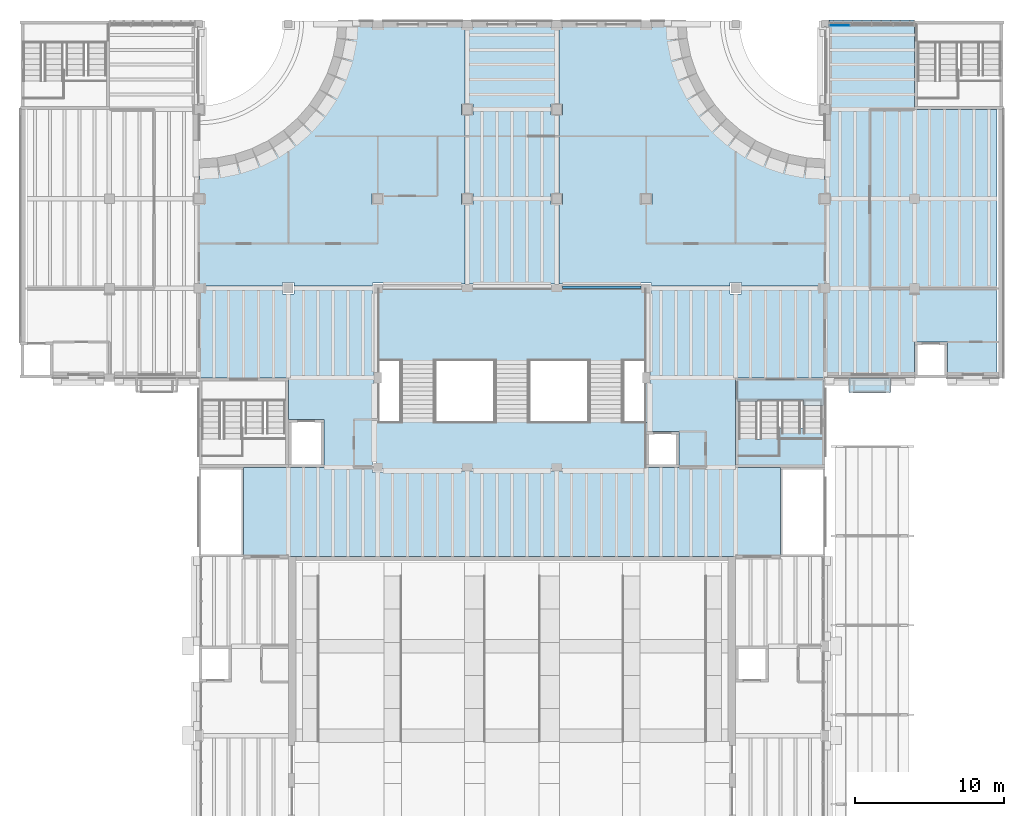
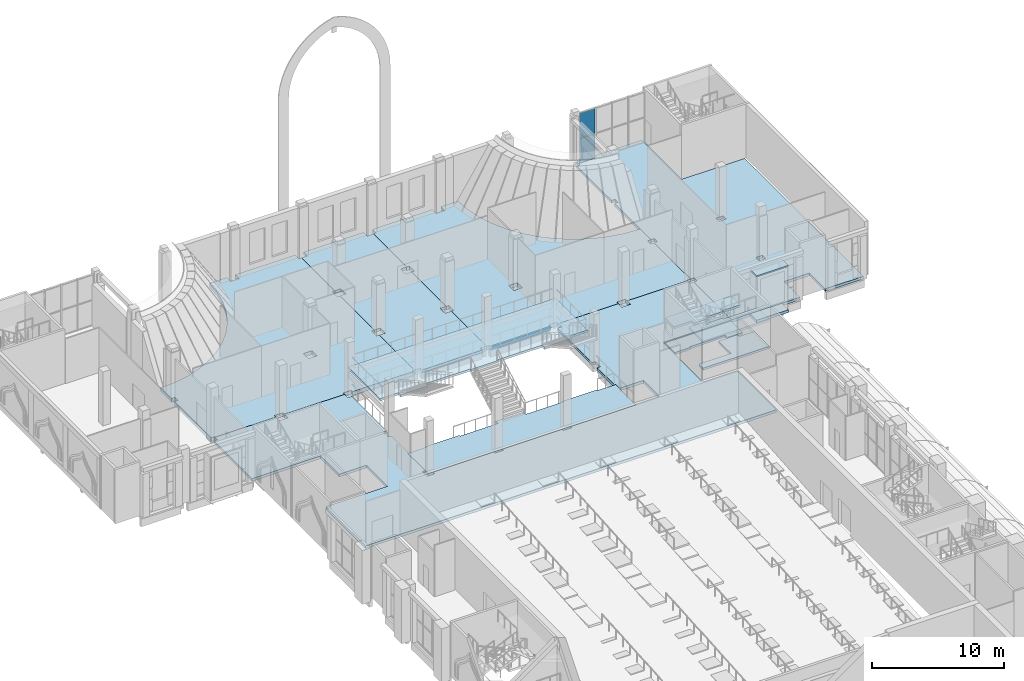
# One storey, part 35 of 80: 13 slabs, 3 plates, 3 elements without a shape of their own.
"""IFC4 building model written with IfcOpenShell, lengths in metres."""

from ifc_helpers import new_model, si_unit, direction, frame, origin, origin_2d, place, context, subcontext, project, spatial, polyline, rectangle, outline, extrude, material, layer, layer_set, type_object, element, aggregate, save


model = new_model("IFC4")

# Units and contexts
model_context = context("Model", 3, precision=1e-05, world=origin(), true_north=direction((0.0, 1.0)))
body_context = subcontext(model_context, "Body", "Model", "MODEL_VIEW")
ifc_project = project(units=[si_unit("LENGTHUNIT", "METRE"), si_unit("AREAUNIT", "SQUARE_METRE"), si_unit("VOLUMEUNIT", "CUBIC_METRE"), si_unit("PLANEANGLEUNIT", "RADIAN"), si_unit("MASSUNIT", "GRAM", prefix="KILO")], contexts=[model_context])

# Site, building, storey
site_placement = place(None, origin())
site = spatial("IfcSite", under=ifc_project, at=site_placement, CompositionType="ELEMENT")
building_placement = place(site_placement, origin())
building = spatial("IfcBuilding", under=site, at=building_placement, Name="Saffron Lane Theatres", CompositionType="ELEMENT")
storey_placement = place(building_placement, frame((0.0, 0.0, 7.0)))
storey = spatial("IfcBuildingStorey", under=building, at=storey_placement, Name="L01", CompositionType="ELEMENT", Elevation=7.0)

# Plate
ifc_material_1 = material(Name="Zinc sheet", Category="metal")
ifc_layer_1 = layer(ifc_material_1, 0.1201171875)
ifc_layer_set_1 = layer_set([ifc_layer_1], Name="Zinc sheet")
plate_type_1 = type_object("IfcPlateType", Name="EX-CUMBA ROOF PANEL 120", PredefinedType="SHEET", material=ifc_layer_set_1)
plate_1_placement = place(storey_placement, frame((0.0, 0.0, 4.0)))
element("IfcPlate", 1, at=plate_1_placement, inside=storey, type_object=plate_type_1, Name="Cumba bay 2 roof", PredefinedType="SHEET", context=body_context, shape_type="SweptSolid", body=[
    extrude(outline(polyline([(58.39990234375, 102.0), (55.60009765625, 102.0), (55.60009765625, 101.0), (58.39990234375, 101.0), (58.39990234375, 102.0)])), origin(), (0.0, 0.0, 1.0), 0.1201171875),
])

# Slab
ifc_material_2 = material(Name="Concrete N40 (40 MPa)", Category="concrete")
ifc_layer_2 = layer(ifc_material_2, 0.25)
ifc_layer_set_2 = layer_set([ifc_layer_2], Name="Concrete N40 (40 MPa)")
slab_type_1 = type_object("IfcSlabType", Name="EX-CUMBA SLAB 250", PredefinedType="FLOOR", material=ifc_layer_set_2)
slab_1_placement = place(storey_placement, frame((0.0, 0.0, -0.25)))
element("IfcSlab", 2, at=slab_1_placement, inside=storey, type_object=slab_type_1, Name="Cumba bay 2 floor", PredefinedType="FLOOR", context=body_context, shape_type="SweptSolid", body=[
    extrude(outline(polyline([(58.39990234375, 102.0), (55.60009765625, 102.0), (55.60009765625, 101.0), (58.39990234375, 101.0), (58.39990234375, 102.0)])), origin(), (0.0, 0.0, 1.0), 0.25),
])

# Curtain wall, plates
ifc_material_3 = material(Name="Aluminium", Category="aluminium")
curtain_wall_type = type_object("IfcCurtainWallType", Name="EX-CURTAIN WALL 5750x4750x160", PredefinedType="NOTDEFINED", material=ifc_material_3)
curtain_wall_placement = place(storey_placement, origin())
curtain_wall = element("IfcCurtainWall", 3, at=curtain_wall_placement, inside=storey, type_object=curtain_wall_type, Name="Curtain wall L01 09", PredefinedType="NOTDEFINED")
ifc_material_4 = material(Name="Glass", Category="glass")
ifc_layer_3 = layer(ifc_material_4, 0.028076171875)
ifc_layer_set_3 = layer_set([ifc_layer_3], Name="Glass")
plate_type_2 = type_object("IfcPlateType", Name="EX-CW PANEL GLAZING 28", PredefinedType="CURTAIN_PANEL", material=ifc_layer_set_3)
plate_2_placement = place(storey_placement, frame((54.983642578125, 125.6298828125, 0.06005859375), z_axis=(0.0, 0.0, 1.0), x_axis=(1.0, 0.0, 0.0)))
plate_2 = element("IfcPlate", 4, at=plate_2_placement, type_object=plate_type_2, Name="CW-01-09 panel 1.1", PredefinedType="CURTAIN_PANEL", context=body_context, shape_type="SweptSolid", body=[
    extrude(rectangle(XDim=1.347412109375, YDim=0.028076171875, at=origin_2d()), origin(), (0.0, 0.0, 1.0), 2.284912109375),
])
plate_3_placement = place(storey_placement, frame((54.983642578125, 125.6298828125, 2.4052734375), z_axis=(0.0, 0.0, 1.0), x_axis=(1.0, 0.0, 0.0)))
plate_3 = element("IfcPlate", 5, at=plate_3_placement, type_object=plate_type_2, Name="CW-01-09 panel 1.2", PredefinedType="CURTAIN_PANEL", context=body_context, shape_type="SweptSolid", body=[
    extrude(rectangle(XDim=1.347412109375, YDim=0.028076171875, at=origin_2d()), origin(), (0.0, 0.0, 1.0), 2.284912109375),
])
aggregate(curtain_wall, [plate_2, plate_3])

# Slabs
ifc_material_5 = material(Name="Concrete N40 (40 MPa)", Category="concrete")
ifc_layer_4 = layer(ifc_material_5, 0.25)
ifc_layer_set_4 = layer_set([ifc_layer_4], Name="Concrete N40 (40 MPa)")
slab_type_2 = type_object("IfcSlabType", Name="RC-SLAB FLOOR 250", PredefinedType="FLOOR", material=ifc_layer_set_4)
slab_2_placement = place(storey_placement, frame((0.0, 0.0, -0.25)))
element("IfcSlab", 6, at=slab_2_placement, inside=storey, type_object=slab_type_2, Name="slab-L01-BRICK-1", PredefinedType="FLOOR", context=body_context, shape_type="SweptSolid", body=[
    extrude(outline(polyline([(18.5, 90.0), (47.5, 90.0), (48.0, 90.0), (51.0, 90.0), (51.0, 96.0), (48.0, 96.0), (48.0, 102.0), (54.0, 102.0), (54.0, 107.77294921875), (53.697998046875, 107.77294921875), (53.697998046875, 108.14990234375), (48.376953125, 108.14990234375), (48.376953125, 107.623046875), (47.623046875, 107.623046875), (47.623046875, 108.14990234375), (42.35205078125, 108.14990234375), (42.35205078125, 107.64794921875), (42.0, 107.64794921875), (42.0, 102.376953125), (42.277099609375, 102.376953125), (42.277099609375, 101.623046875), (42.0, 101.623046875), (42.0, 98.39990234375), (44.199951171875, 98.39990234375), (44.199951171875, 96.0), (42.0, 96.0), (36.376953125, 96.0), (36.376953125, 95.722900390625), (35.623046875, 95.722900390625), (35.623046875, 96.0), (30.376953125, 96.0), (30.376953125, 95.722900390625), (29.623046875, 95.722900390625), (29.623046875, 96.0), (24.35205078125, 96.0), (24.35205078125, 95.64794921875), (23.64794921875, 95.64794921875), (23.64794921875, 96.35205078125), (24.0, 96.35205078125), (24.0, 101.623046875), (23.722900390625, 101.623046875), (23.722900390625, 102.376953125), (24.0, 102.376953125), (24.0, 107.64794921875), (23.64794921875, 107.64794921875), (23.64794921875, 108.14990234375), (18.376953125, 108.14990234375), (18.376953125, 107.623046875), (17.623046875, 107.623046875), (17.623046875, 108.14990234375), (12.302001953125, 108.14990234375), (12.302001953125, 107.77294921875), (12.0, 107.77294921875), (12.0, 102.0), (18.0, 102.0), (18.0, 99.199951171875), (20.39990234375, 99.199951171875), (20.39990234375, 96.0), (18.0, 96.0), (15.0, 96.0), (15.0, 90.0), (18.0, 90.0), (18.5, 90.0)])), origin(), (0.0, 0.0, 1.0), 0.25),
])
slab_3_placement = place(storey_placement, frame((0.0, 0.0, -0.25)))
element("IfcSlab", 7, at=slab_3_placement, inside=storey, type_object=slab_type_2, Name="slab-L01-BRICK-3", PredefinedType="FLOOR", context=body_context, shape_type="SweptSolid", body=[
    extrude(outline(polyline([(30.376953125, 125.99951171875), (30.376953125, 125.447509765625), (29.85009765625, 125.447509765625), (29.85009765625, 120.376953125), (30.376953125, 120.376953125), (30.376953125, 119.623046875), (29.85009765625, 119.623046875), (29.85009765625, 114.376953125), (30.376953125, 114.376953125), (30.376953125, 113.623046875), (29.85009765625, 113.623046875), (29.85009765625, 108.277099609375), (30.376953125, 108.277099609375), (30.376953125, 108.0), (35.623046875, 108.0), (35.623046875, 108.277099609375), (36.14990234375, 108.277099609375), (36.14990234375, 113.623046875), (35.623046875, 113.623046875), (35.623046875, 114.376953125), (36.14990234375, 114.376953125), (36.14990234375, 119.623046875), (35.623046875, 119.623046875), (35.623046875, 120.376953125), (36.14990234375, 120.376953125), (36.14990234375, 125.447509765625), (35.623046875, 125.447509765625), (35.623046875, 125.99951171875), (30.376953125, 125.99951171875)])), origin(), (0.0, 0.0, 1.0), 0.25),
])
slab_4_placement = place(storey_placement, frame((0.0, 0.0, -0.25)))
element("IfcSlab", 8, at=slab_4_placement, inside=storey, type_object=slab_type_2, Name="slab-L01-BRICK-4", PredefinedType="FLOOR", context=body_context, shape_type="SweptSolid", body=[
    extrude(outline(polyline([(36.376953125, 108.0), (41.64794921875, 108.0), (41.64794921875, 108.14990234375), (36.376953125, 108.14990234375), (36.376953125, 108.0)])), origin(), (0.0, 0.0, 1.0), 0.25),
])
slab_5_placement = place(storey_placement, frame((0.0, 0.0, -0.25)))
element("IfcSlab", 9, at=slab_5_placement, inside=storey, type_object=slab_type_2, Name="slab-L01-WING_E", PredefinedType="FLOOR", context=body_context, shape_type="SweptSolid", body=[
    extrude(outline(polyline([(60.0, 120.0), (60.0, 125.99951171875), (54.0, 125.99951171875), (54.0, 125.9765625), (54.302001953125, 125.9765625), (54.302001953125, 125.5224609375), (54.0, 125.5224609375), (54.0, 120.22705078125), (54.302001953125, 120.22705078125), (54.302001953125, 119.77294921875), (54.0, 119.77294921875), (54.0, 115.889892578125), (54.0, 114.22705078125), (54.302001953125, 114.22705078125), (54.302001953125, 113.77294921875), (54.0, 113.77294921875), (54.0, 108.22705078125), (54.302001953125, 108.22705078125), (54.302001953125, 107.77294921875), (54.0, 107.77294921875), (54.0, 102.0), (60.0, 102.0), (60.0, 104.39990234375), (62.199951171875, 104.39990234375), (62.199951171875, 102.0), (65.5400390625, 102.0), (65.5400390625, 120.0), (60.0, 120.0)]), holes=[polyline([(59.697998046875, 107.77294921875), (59.697998046875, 108.22705078125), (60.302001953125, 108.22705078125), (60.302001953125, 107.77294921875), (59.697998046875, 107.77294921875)]), polyline([(59.697998046875, 113.77294921875), (59.697998046875, 114.22705078125), (60.302001953125, 114.22705078125), (60.302001953125, 113.77294921875), (59.697998046875, 113.77294921875)])]), origin(), (0.0, 0.0, 1.0), 0.25),
])
ifc_material_6 = material(Name="Concrete N40 (40 MPa)", Category="concrete")
ifc_layer_5 = layer(ifc_material_6, 0.35009765625)
ifc_layer_set_5 = layer_set([ifc_layer_5], Name="Concrete N40 (40 MPa)")
slab_type_3 = type_object("IfcSlabType", Name="RC-SLAB FLOOR 350", PredefinedType="FLOOR", material=ifc_layer_set_5)
slab_6_placement = place(storey_placement, frame((0.0, 0.0, -0.35009765625)))
element("IfcSlab", 10, at=slab_6_placement, inside=storey, type_object=slab_type_3, Name="slab-L01-BRICK-front-1", PredefinedType="FLOOR", context=body_context, shape_type="SweptSolid", body=[
    extrude(outline(polyline([(12.0, 108.22705078125), (12.302001953125, 108.22705078125), (12.302001953125, 108.14990234375), (17.623046875, 108.14990234375), (17.623046875, 108.376953125), (18.376953125, 108.376953125), (18.376953125, 108.14990234375), (23.64794921875, 108.14990234375), (23.64794921875, 108.35205078125), (24.35205078125, 108.35205078125), (24.35205078125, 108.14990234375), (29.623046875, 108.14990234375), (29.623046875, 108.277099609375), (29.85009765625, 108.277099609375), (29.85009765625, 113.623046875), (29.623046875, 113.623046875), (29.623046875, 114.376953125), (29.85009765625, 114.376953125), (29.85009765625, 119.623046875), (29.623046875, 119.623046875), (29.623046875, 120.376953125), (29.85009765625, 120.376953125), (29.85009765625, 125.447509765625), (29.623046875, 125.447509765625), (29.623046875, 125.99951171875), (24.376953125, 125.99951171875), (24.376953125, 125.447509765625), (23.623046875, 125.447509765625), (23.623046875, 125.99951171875), (22.109619140625, 125.99951171875), (22.02294921875, 124.679931640625), (21.764892578125, 123.383056640625), (21.340087890625, 122.130859375), (20.755126953125, 120.94482421875), (20.0205078125, 119.84521484375), (19.1484375, 118.85107421875), (18.154296875, 117.97900390625), (17.0546875, 117.244384765625), (15.86865234375, 116.659423828125), (14.616455078125, 116.234619140625), (13.319580078125, 115.9765625), (12.0, 115.889892578125), (12.0, 114.22705078125), (12.302001953125, 114.22705078125), (12.302001953125, 113.77294921875), (12.0, 113.77294921875), (12.0, 108.22705078125)]), holes=[polyline([(24.376953125, 113.623046875), (23.623046875, 113.623046875), (23.623046875, 114.376953125), (24.376953125, 114.376953125), (24.376953125, 113.623046875)])]), origin(), (0.0, 0.0, 1.0), 0.35009765625),
])
slab_7_placement = place(storey_placement, frame((0.0, 0.0, -0.35009765625)))
element("IfcSlab", 11, at=slab_7_placement, inside=storey, type_object=slab_type_3, Name="slab-L01-BRICK-front-2", PredefinedType="FLOOR", context=body_context, shape_type="SweptSolid", body=[
    extrude(outline(polyline([(36.376953125, 125.99951171875), (36.376953125, 125.447509765625), (36.14990234375, 125.447509765625), (36.14990234375, 120.376953125), (36.376953125, 120.376953125), (36.376953125, 119.623046875), (36.14990234375, 119.623046875), (36.14990234375, 114.376953125), (36.376953125, 114.376953125), (36.376953125, 113.623046875), (36.14990234375, 113.623046875), (36.14990234375, 108.277099609375), (36.376953125, 108.277099609375), (36.376953125, 108.14990234375), (41.64794921875, 108.14990234375), (41.64794921875, 108.35205078125), (42.35205078125, 108.35205078125), (42.35205078125, 108.14990234375), (47.623046875, 108.14990234375), (47.623046875, 108.376953125), (48.376953125, 108.376953125), (48.376953125, 108.14990234375), (53.697998046875, 108.14990234375), (53.697998046875, 108.22705078125), (54.0, 108.22705078125), (54.0, 113.77294921875), (53.697998046875, 113.77294921875), (53.697998046875, 114.22705078125), (54.0, 114.22705078125), (54.0, 115.889892578125), (52.680419921875, 115.9765625), (51.383544921875, 116.234619140625), (50.13134765625, 116.659423828125), (48.9453125, 117.244384765625), (47.845703125, 117.97900390625), (46.8515625, 118.85107421875), (45.9794921875, 119.84521484375), (45.244873046875, 120.94482421875), (44.659912109375, 122.130859375), (44.235107421875, 123.383056640625), (43.97705078125, 124.679931640625), (43.890380859375, 125.99951171875), (42.376953125, 125.99951171875), (42.376953125, 125.447509765625), (41.623046875, 125.447509765625), (41.623046875, 125.99951171875), (36.376953125, 125.99951171875)]), holes=[polyline([(42.376953125, 113.623046875), (41.623046875, 113.623046875), (41.623046875, 114.376953125), (42.376953125, 114.376953125), (42.376953125, 113.623046875)])]), origin(), (0.0, 0.0, 1.0), 0.35009765625),
])

# Stair, slabs
ifc_material_7 = material(Name="Concrete N40 (40 MPa)", Category="concrete")
stair_type_1 = type_object("IfcStairType", Name="VC-STAIR EXIT", PredefinedType="TWO_STRAIGHT_RUN_STAIR", material=ifc_material_7)
stair_1_placement = place(storey_placement, origin())
stair_1 = element("IfcStair", 12, at=stair_1_placement, inside=storey, type_object=stair_type_1, Name="Brick Block East Stair L01 to L02", PredefinedType="TWO_STRAIGHT_RUN_STAIR")
ifc_material_8 = material(Name="Concrete N40 (40 MPa)", Category="concrete")
ifc_layer_6 = layer(ifc_material_8, 0.199951171875)
ifc_layer_set_6 = layer_set([ifc_layer_6], Name="Concrete N40 (40 MPa)")
slab_type_4 = type_object("IfcSlabType", Name="VC-LANDING 200", PredefinedType="LANDING", material=ifc_layer_set_6)
slab_8_placement = place(storey_placement, frame((0.0, 0.0, -0.199951171875)))
slab_8 = element("IfcSlab", 13, at=slab_8_placement, type_object=slab_type_4, Name="ST5 landing 1", PredefinedType="LANDING", context=body_context, shape_type="SweptSolid", body=[
    extrude(outline(polyline([(48.10009765625, 101.89990234375), (53.89990234375, 101.89990234375), (53.89990234375, 100.14990234375), (52.550048828125, 100.14990234375), (52.550048828125, 100.5), (49.449951171875, 100.5), (49.449951171875, 100.39990234375), (48.10009765625, 100.39990234375), (48.10009765625, 100.5), (48.10009765625, 100.5), (48.10009765625, 101.89990234375)])), origin(), (0.0, 0.0, 1.0), 0.199951171875),
])
slab_9_placement = place(storey_placement, frame((0.0, 0.0, 0.966552734375)))
slab_9 = element("IfcSlab", 14, at=slab_9_placement, type_object=slab_type_4, Name="ST5 landing 2", PredefinedType="LANDING", context=body_context, shape_type="SweptSolid", body=[
    extrude(outline(polyline([(50.89990234375, 98.6298828125), (52.550048828125, 98.6298828125), (52.550048828125, 98.3798828125), (53.89990234375, 98.3798828125), (53.89990234375, 96.10009765625), (48.10009765625, 96.10009765625), (48.10009765625, 96.75), (50.89990234375, 96.75), (50.89990234375, 98.6298828125)])), origin(), (0.0, 0.0, 1.0), 0.2001953125),
])
slab_10_placement = place(storey_placement, frame((0.0, 0.0, 2.13330078125)))
slab_10 = element("IfcSlab", 15, at=slab_10_placement, type_object=slab_type_4, Name="ST5 landing 3", PredefinedType="LANDING", context=body_context, shape_type="SweptSolid", body=[
    extrude(outline(polyline([(48.10009765625, 100.5), (48.10009765625, 101.89990234375), (53.89990234375, 101.89990234375), (53.89990234375, 100.5), (52.35009765625, 100.5), (52.35009765625, 100.39990234375), (51.10009765625, 100.39990234375), (51.10009765625, 100.5), (50.89990234375, 100.5), (50.89990234375, 100.14990234375), (49.64990234375, 100.14990234375), (49.64990234375, 100.5), (48.10009765625, 100.5)])), origin(), (0.0, 0.0, 1.0), 0.199951171875),
])
slab_11_placement = place(storey_placement, frame((0.0, 0.0, 3.466552734375)))
slab_11 = element("IfcSlab", 16, at=slab_11_placement, type_object=slab_type_4, Name="ST5 landing 4", PredefinedType="LANDING", context=body_context, shape_type="SweptSolid", body=[
    extrude(outline(polyline([(49.449951171875, 97.909912109375), (49.64990234375, 97.909912109375), (49.64990234375, 98.010009765625), (50.89990234375, 98.010009765625), (50.89990234375, 97.909912109375), (53.89990234375, 97.909912109375), (53.89990234375, 96.10009765625), (48.10009765625, 96.10009765625), (48.10009765625, 98.260009765625), (49.449951171875, 98.260009765625), (49.449951171875, 97.909912109375)])), origin(), (0.0, 0.0, 1.0), 0.2001953125),
])
aggregate(stair_1, [slab_8, slab_9, slab_10, slab_11])

ifc_material_9 = material(Name="Concrete N40 (40 MPa)", Category="concrete")
stair_type_2 = type_object("IfcStairType", Name="VC-STAIR GRAND", PredefinedType="DOUBLE_RETURN_STAIR", material=ifc_material_9)
stair_2_placement = place(storey_placement, origin())
stair_2 = element("IfcStair", 17, at=stair_2_placement, inside=storey, type_object=stair_type_2, Name="Grand Stair L01 to L02", PredefinedType="DOUBLE_RETURN_STAIR")
slab_12_placement = place(storey_placement, frame((0.0, 0.0, -0.199951171875)))
slab_12 = element("IfcSlab", 18, at=slab_12_placement, type_object=slab_type_4, Name="ST38 landing 1", PredefinedType="LANDING", context=body_context, shape_type="SweptSolid", body=[
    extrude(outline(polyline([(42.10009765625, 95.89990234375), (23.89990234375, 95.89990234375), (23.89990234375, 99.0), (25.5, 99.0), (25.5, 99.10009765625), (28.5, 99.10009765625), (28.5, 99.0), (31.800048828125, 99.0), (31.800048828125, 99.35009765625), (34.199951171875, 99.35009765625), (34.199951171875, 99.0), (37.5, 99.0), (37.5, 99.10009765625), (40.5, 99.10009765625), (40.5, 99.0), (42.10009765625, 99.0), (42.10009765625, 95.89990234375)])), origin(), (0.0, 0.0, 1.0), 0.199951171875),
])
slab_13_placement = place(storey_placement, frame((0.0, 0.0, 2.300048828125)))
slab_13 = element("IfcSlab", 19, at=slab_13_placement, type_object=slab_type_4, Name="ST38 landing 2", PredefinedType="LANDING", context=body_context, shape_type="SweptSolid", body=[
    extrude(outline(polyline([(25.5, 103.199951171875), (23.89990234375, 103.199951171875), (23.89990234375, 108.10009765625), (42.10009765625, 108.10009765625), (42.10009765625, 103.199951171875), (40.5, 103.199951171875), (40.5, 102.85009765625), (38.10009765625, 102.85009765625), (38.10009765625, 103.199951171875), (34.199951171875, 103.199951171875), (34.199951171875, 103.10009765625), (31.800048828125, 103.10009765625), (31.800048828125, 103.199951171875), (27.89990234375, 103.199951171875), (27.89990234375, 102.85009765625), (25.5, 102.85009765625), (25.5, 103.199951171875)])), origin(), (0.0, 0.0, 1.0), 0.199951171875),
])
aggregate(stair_2, [slab_12, slab_13])

save(model, "model.ifc")
